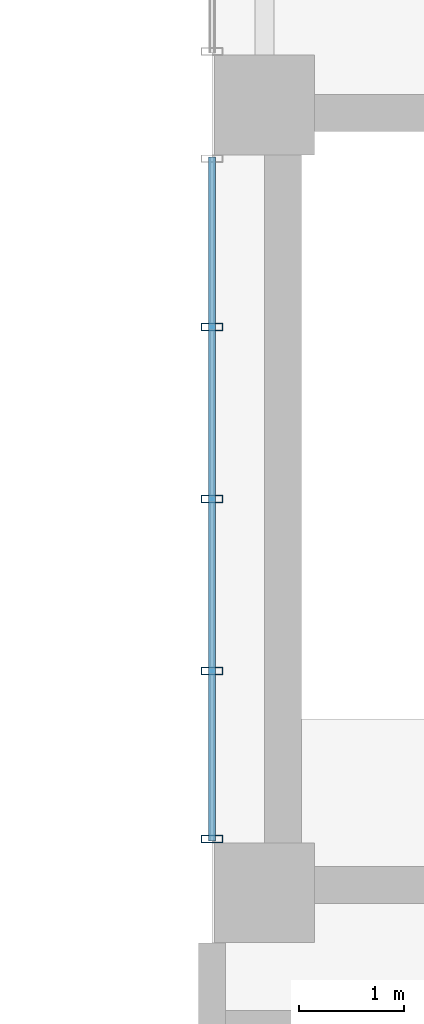
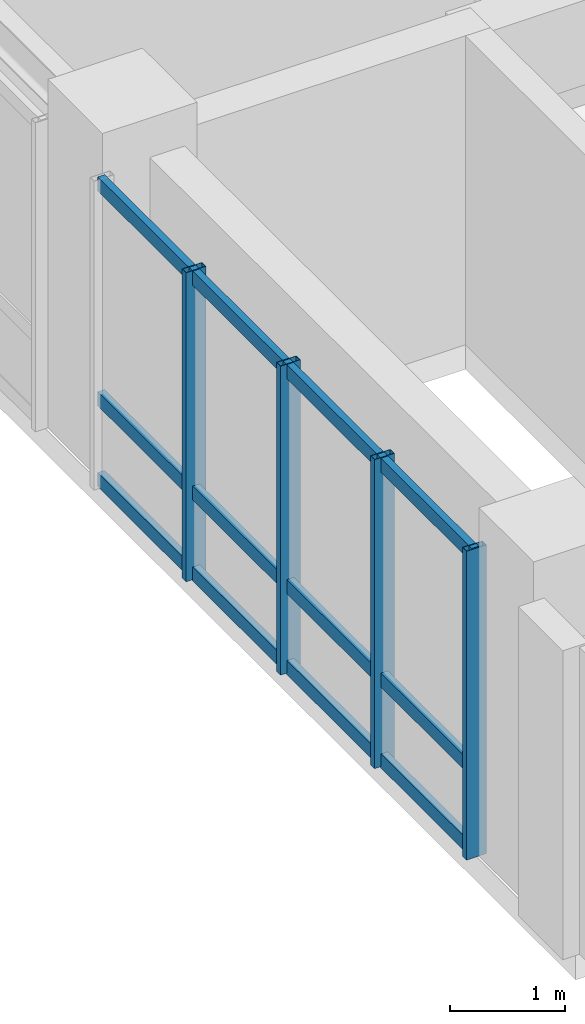
# One storey, part 4 of 23: 7 members, 1 element without a shape of its own.
"""IFC4 building model written with IfcOpenShell, lengths in metres."""

from ifc_helpers import new_model, si_unit, direction, frame, origin, origin_2d, place, context, subcontext, project, spatial, hollow_rectangle, extrude, source, transform, mapped, material, layer, layer_set, material_profile, profile_set, type_object, element, aggregate, save


model = new_model("IFC4")

# Units and contexts
model_context = context("Model", 3, precision=1e-05, world=origin(), true_north=direction((0.0, 1.0)))
body_context = subcontext(model_context, "Body", "Model", "MODEL_VIEW")
ifc_project = project(units=[si_unit("LENGTHUNIT", "METRE"), si_unit("AREAUNIT", "SQUARE_METRE"), si_unit("VOLUMEUNIT", "CUBIC_METRE"), si_unit("PLANEANGLEUNIT", "RADIAN"), si_unit("MASSUNIT", "GRAM", prefix="KILO")], contexts=[model_context])

# Site, building, storey
site_placement = place(None, origin())
site = spatial("IfcSite", under=ifc_project, at=site_placement, CompositionType="ELEMENT")
building_placement = place(site_placement, origin())
building = spatial("IfcBuilding", under=site, at=building_placement, Name="Kaliganga Portal Commons", CompositionType="ELEMENT")
storey_placement = place(building_placement, frame((0.0, 0.0, 246.199951171875)))
storey = spatial("IfcBuildingStorey", under=building, at=storey_placement, Name="L63", CompositionType="ELEMENT", Elevation=246.199951171875)

# Curtain wall, members
ifc_material_1 = material(Name="Anodized Aluminium and Laminated Low-E Glass", Category="aluminium")
ifc_layer = layer(ifc_material_1, 0.239990234375)
ifc_layer_set = layer_set([ifc_layer], Name="Anodized Aluminium and Laminated Low-E Glass")
curtain_wall_type = type_object("IfcCurtainWallType", Name="CW-SYS-04", PredefinedType="NOTDEFINED", material=ifc_layer_set)
curtain_wall_placement = place(storey_placement, origin())
curtain_wall = element("IfcCurtainWall", 1, at=curtain_wall_placement, inside=storey, type_object=curtain_wall_type, Name="CW 04 L63 P2E09S2", PredefinedType="NOTDEFINED")
ifc_material_2 = material(Name="Dark Bronze Anodized Aluminium", Category="aluminium")
ifc_material_profile_1 = material_profile(ifc_material_2, hollow_rectangle(XDim=0.070068359375, YDim=0.14990234375, WallThickness=0.00341796875, at=origin_2d()), Name="ALU TRAN 70x150x3.5")
ifc_profile_set_1 = profile_set([ifc_material_profile_1], Name="Dark Bronze Anodized Aluminium")
member_type_1 = type_object("IfcMemberType", Name="CW-TRN-150", PredefinedType="USERDEFINED", material=ifc_profile_set_1)
shared_shape_1 = source(origin(), body_context, "Body", "SweptSolid", [
    extrude(hollow_rectangle(XDim=0.070068359375, YDim=0.14990234375, WallThickness=0.00341796875, at=origin_2d()), origin(), (0.0, 0.0, 1.0), 6.508056640625),
])
member_1_placement = place(storey_placement, frame((35.5, 14.053955078125, 0.06005859375), z_axis=(0.0, -1.0, 0.0), x_axis=(1.0, 0.0, 0.0)))
member_1 = element("IfcMember", 2, at=member_1_placement, type_object=member_type_1, Name="CW:04:L63:P2E09S2 Transom 1", ObjectType="TRANSOM", PredefinedType="USERDEFINED", context=body_context, shape_type="MappedRepresentation", body=[
    mapped(shared_shape_1, transform((0.0, 0.0, 0.0), x_axis=(1.0, 0.0, 0.0), y_axis=(0.0, 1.0, 0.0), z_axis=(0.0, 0.0, 1.0), scale=1.0)),
])
member_2_placement = place(storey_placement, frame((35.5, 14.053955078125, 0.91845703125), z_axis=(0.0, -1.0, 0.0), x_axis=(1.0, 0.0, 0.0)))
member_2 = element("IfcMember", 3, at=member_2_placement, type_object=member_type_1, Name="CW:04:L63:P2E09S2 Transom 2", ObjectType="TRANSOM", PredefinedType="USERDEFINED", context=body_context, shape_type="MappedRepresentation", body=[
    mapped(shared_shape_1, transform((0.0, 0.0, 0.0), x_axis=(1.0, 0.0, 0.0), y_axis=(0.0, 1.0, 0.0), z_axis=(0.0, 0.0, 1.0), scale=1.0)),
])
member_3_placement = place(storey_placement, frame((35.5, 14.053955078125, 3.199951171875), z_axis=(0.0, -1.0, 0.0), x_axis=(1.0, 0.0, 0.0)))
member_3 = element("IfcMember", 4, at=member_3_placement, type_object=member_type_1, Name="CW:04:L63:P2E09S2 Transom 3", ObjectType="TRANSOM", PredefinedType="USERDEFINED", context=body_context, shape_type="MappedRepresentation", body=[
    mapped(shared_shape_1, transform((0.0, 0.0, 0.0), x_axis=(1.0, 0.0, 0.0), y_axis=(0.0, 1.0, 0.0), z_axis=(0.0, 0.0, 1.0), scale=1.0)),
])
ifc_material_profile_2 = material_profile(ifc_material_2, hollow_rectangle(XDim=0.070068359375, YDim=0.199951171875, WallThickness=0.00390625, at=origin_2d()), Name="ALU MULL 70x200x4")
ifc_profile_set_2 = profile_set([ifc_material_profile_2], Name="Dark Bronze Anodized Aluminium")
member_type_2 = type_object("IfcMemberType", Name="CW-MUL-220", PredefinedType="MULLION", material=ifc_profile_set_2)
shared_shape_2 = source(origin(), body_context, "Body", "SweptSolid", [
    extrude(hollow_rectangle(XDim=0.070068359375, YDim=0.199951171875, WallThickness=0.00390625, at=origin_2d()), origin(), (0.0, 0.0, 1.0), 3.280029296875),
])
member_4_placement = place(storey_placement, frame((35.5, 12.43701171875, 0.0), z_axis=(0.0, 0.0, 1.0), x_axis=(0.0, -1.0, 0.0)))
member_4 = element("IfcMember", 5, at=member_4_placement, type_object=member_type_2, Name="CW:04:L63:P2E09S2 Mullion 01", PredefinedType="MULLION", context=body_context, shape_type="MappedRepresentation", body=[
    mapped(shared_shape_2, transform((0.0, 0.0, 0.0), x_axis=(1.0, 0.0, 0.0), y_axis=(0.0, 1.0, 0.0), z_axis=(0.0, 0.0, 1.0), scale=1.0)),
])
member_5_placement = place(storey_placement, frame((35.5, 10.800048828125, 0.0), z_axis=(0.0, 0.0, 1.0), x_axis=(0.0, -1.0, 0.0)))
member_5 = element("IfcMember", 6, at=member_5_placement, type_object=member_type_2, Name="CW:04:L63:P2E09S2 Mullion 02", PredefinedType="MULLION", context=body_context, shape_type="MappedRepresentation", body=[
    mapped(shared_shape_2, transform((0.0, 0.0, 0.0), x_axis=(1.0, 0.0, 0.0), y_axis=(0.0, 1.0, 0.0), z_axis=(0.0, 0.0, 1.0), scale=1.0)),
])
member_6_placement = place(storey_placement, frame((35.5, 9.1630859375, 0.0), z_axis=(0.0, 0.0, 1.0), x_axis=(0.0, -1.0, 0.0)))
member_6 = element("IfcMember", 7, at=member_6_placement, type_object=member_type_2, Name="CW:04:L63:P2E09S2 Mullion 03", PredefinedType="MULLION", context=body_context, shape_type="MappedRepresentation", body=[
    mapped(shared_shape_2, transform((0.0, 0.0, 0.0), x_axis=(1.0, 0.0, 0.0), y_axis=(0.0, 1.0, 0.0), z_axis=(0.0, 0.0, 1.0), scale=1.0)),
])
member_7_placement = place(storey_placement, frame((35.5, 7.56103515625, 0.0), z_axis=(0.0, 0.0, 1.0), x_axis=(0.0, -1.0, 0.0)))
member_7 = element("IfcMember", 8, at=member_7_placement, type_object=member_type_2, Name="CW:04:L63:P2E09S2 Mullion 04", PredefinedType="MULLION", context=body_context, shape_type="MappedRepresentation", body=[
    mapped(shared_shape_2, transform((0.0, 0.0, 0.0), x_axis=(1.0, 0.0, 0.0), y_axis=(0.0, 1.0, 0.0), z_axis=(0.0, 0.0, 1.0), scale=1.0)),
])
aggregate(curtain_wall, [member_4, member_5, member_6, member_7, member_1, member_2, member_3])

save(model, "model.ifc")
